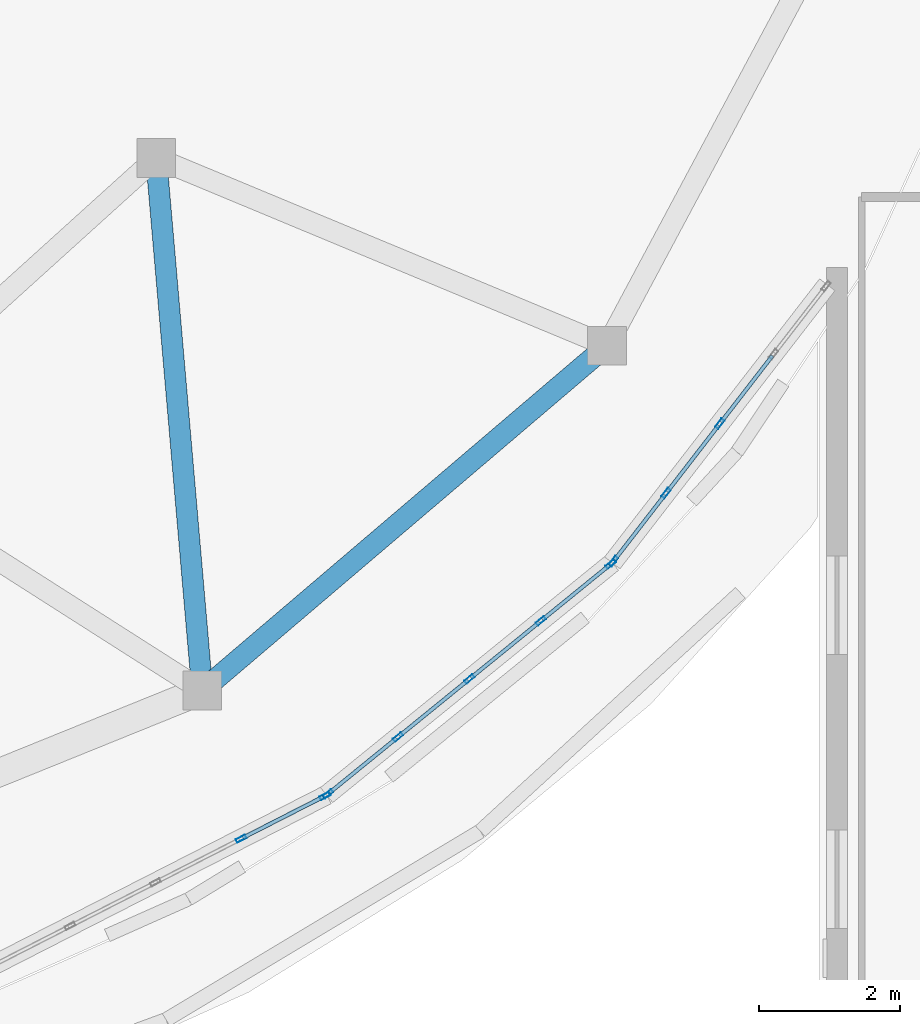
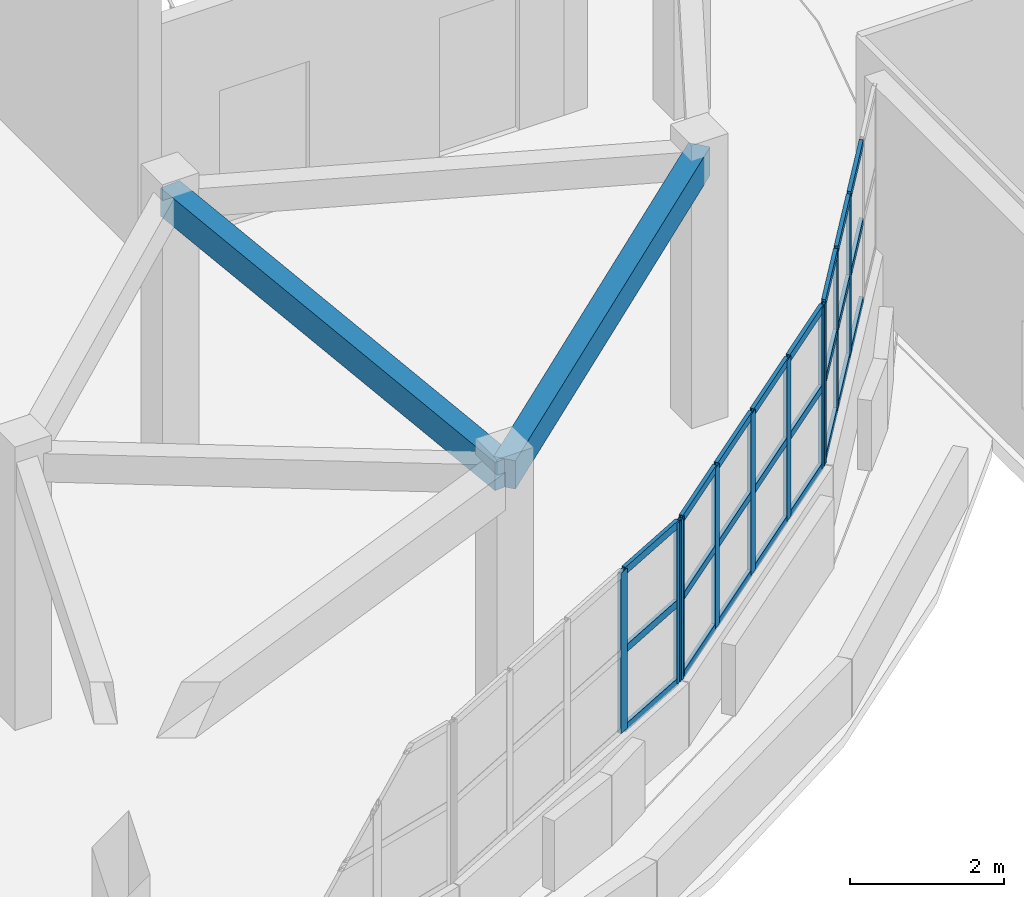
# One storey, part 9 of 46: 34 members, 2 beams, 3 elements without a shape of their own.
"""IFC4 building model written with IfcOpenShell, lengths in metres."""

from ifc_helpers import new_model, si_unit, direction, frame, origin, origin_2d, place, context, subcontext, project, spatial, rectangle, hollow_rectangle, extrude, material, layer, layer_set, material_profile, profile_set, type_object, element, aggregate, save


model = new_model("IFC4")

# Units and contexts
model_context = context("Model", 3, precision=1e-05, world=origin(), true_north=direction((0.0, 1.0)))
body_context = subcontext(model_context, "Body", "Model", "MODEL_VIEW")
ifc_project = project(units=[si_unit("LENGTHUNIT", "METRE"), si_unit("AREAUNIT", "SQUARE_METRE"), si_unit("VOLUMEUNIT", "CUBIC_METRE"), si_unit("PLANEANGLEUNIT", "RADIAN"), si_unit("MASSUNIT", "GRAM", prefix="KILO")], contexts=[model_context])

# Site, building, storey
site_placement = place(None, origin())
site = spatial("IfcSite", under=ifc_project, at=site_placement, CompositionType="ELEMENT")
building_placement = place(site_placement, origin())
building = spatial("IfcBuilding", under=site, at=building_placement, Name="Pelvatis Terrace Science Centre", CompositionType="ELEMENT")
storey_placement = place(building_placement, frame((0.0, 0.0, 19.800048828125)))
storey = spatial("IfcBuildingStorey", under=building, at=storey_placement, Name="L04", CompositionType="ELEMENT", Elevation=19.800048828125)

# Beams
ifc_material_1 = material(Name="Concrete C35/45", Category="concrete")
ifc_material_profile_1 = material_profile(ifc_material_1, rectangle(XDim=0.300048828125, YDim=0.449951171875, at=origin_2d()), Name="RC-BM 300x450")
ifc_profile_set_1 = profile_set([ifc_material_profile_1], Name="Concrete C35/45")
beam_type = type_object("IfcBeamType", Name="BM-RC-300x450", PredefinedType="BEAM", material=ifc_profile_set_1)
beam_1_placement = place(storey_placement, frame((123.82421875, 69.786376953125, 4.02490234375), z_axis=(0.761283967921, 0.648418630351, 0.0), x_axis=(-0.648418630351, 0.761283967921, 0.0)))
element("IfcBeam", 1, at=beam_1_placement, inside=storey, type_object=beam_type, Name="Beam BM-L04-3099", PredefinedType="BEAM", context=body_context, shape_type="SweptSolid", body=[
    extrude(rectangle(XDim=0.300048828125, YDim=0.449951171875, at=origin_2d()), origin(), (0.0, 0.0, 1.0), 7.56005859375),
])
beam_2_placement = place(storey_placement, frame((123.82421875, 69.786376953125, 4.02490234375), z_axis=(-0.086284318335, 0.99627055382, 0.0), x_axis=(-0.99627055382, -0.086284318335, 0.0)))
element("IfcBeam", 2, at=beam_2_placement, inside=storey, type_object=beam_type, Name="Beam BM-L04-3101", PredefinedType="BEAM", context=body_context, shape_type="SweptSolid", body=[
    extrude(rectangle(XDim=0.300048828125, YDim=0.449951171875, at=origin_2d()), origin(), (0.0, 0.0, 1.0), 7.59716796875),
])

# Curtain wall, members
ifc_material_2 = material(Name="Bronze-anodised aluminium and laminated glass", Category="aluminium")
ifc_layer = layer(ifc_material_2, 0.14990234375)
ifc_layer_set = layer_set([ifc_layer], Name="Bronze-anodised aluminium and laminated glass")
curtain_wall_type = type_object("IfcCurtainWallType", Name="CW-PASSAGE-C", PredefinedType="NOTDEFINED", material=ifc_layer_set)
curtain_wall_1_placement = place(storey_placement, origin())
curtain_wall_1 = element("IfcCurtainWall", 3, at=curtain_wall_1_placement, inside=storey, type_object=curtain_wall_type, Name="Ribbon curtain wall CW-234 (L04)", PredefinedType="NOTDEFINED")
ifc_material_3 = material(Name="Bronze-anodised aluminium 6063-T6", Category="aluminium")
ifc_material_profile_2 = material_profile(ifc_material_3, hollow_rectangle(XDim=0.054931640625, YDim=0.14990234375, WallThickness=0.00390625, at=origin_2d()), Name="ALU-MUL 55x150")
ifc_profile_set_2 = profile_set([ifc_material_profile_2], Name="Bronze-anodised aluminium 6063-T6")
member_type_1 = type_object("IfcMemberType", Name="CWM-55x150", PredefinedType="MULLION", material=ifc_profile_set_2)
member_1_placement = place(storey_placement, frame((124.376708984375, 67.677734375, 1.02001953125), z_axis=(0.0, 0.0, 1.0), x_axis=(-0.454858737992, 0.890563601587, 0.0)))
member_1 = element("IfcMember", 4, at=member_1_placement, type_object=member_type_1, Name="CW-234 mullion 4", PredefinedType="MULLION", context=body_context, shape_type="SweptSolid", body=[
    extrude(hollow_rectangle(XDim=0.054931640625, YDim=0.14990234375, WallThickness=0.00390625, at=origin_2d()), origin(), (0.0, 0.0, 1.0), 2.550048828125),
])
member_2_placement = place(storey_placement, frame((125.568115234375, 68.286376953125, 1.02001953125), z_axis=(0.0, 0.0, 1.0), x_axis=(-0.454858737992, 0.890563601587, 0.0)))
member_2 = element("IfcMember", 5, at=member_2_placement, type_object=member_type_1, Name="CW-234 mullion 5", PredefinedType="MULLION", context=body_context, shape_type="SweptSolid", body=[
    extrude(hollow_rectangle(XDim=0.054931640625, YDim=0.14990234375, WallThickness=0.00390625, at=origin_2d()), origin(), (0.0, 0.0, 1.0), 2.550048828125),
])

curtain_wall_2_placement = place(storey_placement, origin())
curtain_wall_2 = element("IfcCurtainWall", 6, at=curtain_wall_2_placement, inside=storey, type_object=curtain_wall_type, Name="Ribbon curtain wall CW-235 (L04)", PredefinedType="NOTDEFINED")
member_3_placement = place(storey_placement, frame((125.61376953125, 68.316162109375, 1.02001953125), z_axis=(0.0, 0.0, 1.0), x_axis=(-0.630757324963, 0.775980152456, 0.0)))
member_3 = element("IfcMember", 7, at=member_3_placement, type_object=member_type_1, Name="CW-235 mullion 1", PredefinedType="MULLION", context=body_context, shape_type="SweptSolid", body=[
    extrude(hollow_rectangle(XDim=0.054931640625, YDim=0.14990234375, WallThickness=0.00390625, at=origin_2d()), origin(), (0.0, 0.0, 1.0), 2.550048828125),
])
member_4_placement = place(storey_placement, frame((126.60791015625, 69.124267578125, 1.02001953125), z_axis=(0.0, 0.0, 1.0), x_axis=(-0.630757324963, 0.775980152456, 0.0)))
member_4 = element("IfcMember", 8, at=member_4_placement, type_object=member_type_1, Name="CW-235 mullion 2", PredefinedType="MULLION", context=body_context, shape_type="SweptSolid", body=[
    extrude(hollow_rectangle(XDim=0.054931640625, YDim=0.14990234375, WallThickness=0.00390625, at=origin_2d()), origin(), (0.0, 0.0, 1.0), 2.550048828125),
])
member_5_placement = place(storey_placement, frame((127.623291015625, 69.949462890625, 1.02001953125), z_axis=(0.0, 0.0, 1.0), x_axis=(-0.630757324963, 0.775980152456, 0.0)))
member_5 = element("IfcMember", 9, at=member_5_placement, type_object=member_type_1, Name="CW-235 mullion 3", PredefinedType="MULLION", context=body_context, shape_type="SweptSolid", body=[
    extrude(hollow_rectangle(XDim=0.054931640625, YDim=0.14990234375, WallThickness=0.00390625, at=origin_2d()), origin(), (0.0, 0.0, 1.0), 2.550048828125),
])
member_6_placement = place(storey_placement, frame((128.638671875, 70.77490234375, 1.02001953125), z_axis=(0.0, 0.0, 1.0), x_axis=(-0.630757324963, 0.775980152456, 0.0)))
member_6 = element("IfcMember", 10, at=member_6_placement, type_object=member_type_1, Name="CW-235 mullion 4", PredefinedType="MULLION", context=body_context, shape_type="SweptSolid", body=[
    extrude(hollow_rectangle(XDim=0.054931640625, YDim=0.14990234375, WallThickness=0.00390625, at=origin_2d()), origin(), (0.0, 0.0, 1.0), 2.550048828125),
])
member_7_placement = place(storey_placement, frame((129.632568359375, 71.582763671875, 1.02001953125), z_axis=(0.0, 0.0, 1.0), x_axis=(-0.630757324963, 0.775980152456, 0.0)))
member_7 = element("IfcMember", 11, at=member_7_placement, type_object=member_type_1, Name="CW-235 mullion 5", PredefinedType="MULLION", context=body_context, shape_type="SweptSolid", body=[
    extrude(hollow_rectangle(XDim=0.054931640625, YDim=0.14990234375, WallThickness=0.00390625, at=origin_2d()), origin(), (0.0, 0.0, 1.0), 2.550048828125),
])

curtain_wall_3_placement = place(storey_placement, origin())
curtain_wall_3 = element("IfcCurtainWall", 12, at=curtain_wall_3_placement, inside=storey, type_object=curtain_wall_type, Name="Ribbon curtain wall CW-236 (L04)", PredefinedType="NOTDEFINED")
member_8_placement = place(storey_placement, frame((129.6708984375, 71.6220703125, 1.02001953125), z_axis=(0.0, 0.0, 1.0), x_axis=(-0.791180678019, 0.611582483994, 0.0)))
member_8 = element("IfcMember", 13, at=member_8_placement, type_object=member_type_1, Name="CW-236 mullion 1", PredefinedType="MULLION", context=body_context, shape_type="SweptSolid", body=[
    extrude(hollow_rectangle(XDim=0.054931640625, YDim=0.14990234375, WallThickness=0.00390625, at=origin_2d()), origin(), (0.0, 0.0, 1.0), 2.550048828125),
])
member_9_placement = place(storey_placement, frame((130.41796875, 72.588623046875, 1.02001953125), z_axis=(0.0, 0.0, 1.0), x_axis=(-0.791180678019, 0.611582483994, 0.0)))
member_9 = element("IfcMember", 14, at=member_9_placement, type_object=member_type_1, Name="CW-236 mullion 2", PredefinedType="MULLION", context=body_context, shape_type="SweptSolid", body=[
    extrude(hollow_rectangle(XDim=0.054931640625, YDim=0.14990234375, WallThickness=0.00390625, at=origin_2d()), origin(), (0.0, 0.0, 1.0), 2.550048828125),
])
member_10_placement = place(storey_placement, frame((131.181884765625, 73.576904296875, 1.02001953125), z_axis=(0.0, 0.0, 1.0), x_axis=(-0.791180678019, 0.611582483994, 0.0)))
member_10 = element("IfcMember", 15, at=member_10_placement, type_object=member_type_1, Name="CW-236 mullion 3", PredefinedType="MULLION", context=body_context, shape_type="SweptSolid", body=[
    extrude(hollow_rectangle(XDim=0.054931640625, YDim=0.14990234375, WallThickness=0.00390625, at=origin_2d()), origin(), (0.0, 0.0, 1.0), 2.550048828125),
])

# Member
ifc_material_4 = material(Name="Bronze-anodised aluminium 6063-T6", Category="aluminium")
ifc_material_profile_3 = material_profile(ifc_material_4, hollow_rectangle(XDim=0.054931640625, YDim=0.1201171875, WallThickness=0.00341796875, at=origin_2d()), Name="ALU-TRN 55x120")
ifc_profile_set_3 = profile_set([ifc_material_profile_3], Name="Bronze-anodised aluminium 6063-T6")
member_type_2 = type_object("IfcMemberType", Name="CWT-55x120", PredefinedType="USERDEFINED", material=ifc_profile_set_3)
member_11_placement = place(storey_placement, frame((124.401123046875, 67.6904296875, 1.04736328125), z_axis=(0.890626588092, 0.454735396228, 0.0), x_axis=(-0.454735396228, 0.890626588092, 0.0)))
member_11 = element("IfcMember", 16, at=member_11_placement, type_object=member_type_2, Name="CW-234 transom 4.1", ObjectType="TRANSOM", PredefinedType="USERDEFINED", context=body_context, shape_type="SweptSolid", body=[
    extrude(hollow_rectangle(XDim=0.054931640625, YDim=0.1201171875, WallThickness=0.00341796875, at=origin_2d()), origin(), (0.0, 0.0, 1.0), 1.28271484375),
])

member_12_placement = place(storey_placement, frame((124.401123046875, 67.6904296875, 2.294921875), z_axis=(0.890626588092, 0.454735396228, 0.0), x_axis=(-0.454735396228, 0.890626588092, 0.0)))
member_12 = element("IfcMember", 17, at=member_12_placement, type_object=member_type_2, Name="CW-234 transom 4.2", ObjectType="TRANSOM", PredefinedType="USERDEFINED", context=body_context, shape_type="SweptSolid", body=[
    extrude(hollow_rectangle(XDim=0.054931640625, YDim=0.1201171875, WallThickness=0.00341796875, at=origin_2d()), origin(), (0.0, 0.0, 1.0), 1.28271484375),
])

member_13_placement = place(storey_placement, frame((124.401123046875, 67.6904296875, 3.54248046875), z_axis=(0.890626588092, 0.454735396228, 0.0), x_axis=(-0.454735396228, 0.890626588092, 0.0)))
member_13 = element("IfcMember", 18, at=member_13_placement, type_object=member_type_2, Name="CW-234 transom 4.3", ObjectType="TRANSOM", PredefinedType="USERDEFINED", context=body_context, shape_type="SweptSolid", body=[
    extrude(hollow_rectangle(XDim=0.054931640625, YDim=0.1201171875, WallThickness=0.00341796875, at=origin_2d()), origin(), (0.0, 0.0, 1.0), 1.28271484375),
])

aggregate(curtain_wall_1, [member_1, member_2, member_11, member_12, member_13])

member_14_placement = place(storey_placement, frame((125.63525390625, 68.33349609375, 1.04736328125), z_axis=(0.775967764769, 0.630772564431, 0.0), x_axis=(-0.630772564431, 0.775967764769, 0.0)))
member_14 = element("IfcMember", 19, at=member_14_placement, type_object=member_type_2, Name="CW-235 transom 1.1", ObjectType="TRANSOM", PredefinedType="USERDEFINED", context=body_context, shape_type="SweptSolid", body=[
    extrude(hollow_rectangle(XDim=0.054931640625, YDim=0.1201171875, WallThickness=0.00341796875, at=origin_2d()), origin(), (0.0, 0.0, 1.0), 1.225830078125),
])

member_15_placement = place(storey_placement, frame((125.63525390625, 68.33349609375, 2.294921875), z_axis=(0.775967764769, 0.630772564431, 0.0), x_axis=(-0.630772564431, 0.775967764769, 0.0)))
member_15 = element("IfcMember", 20, at=member_15_placement, type_object=member_type_2, Name="CW-235 transom 1.2", ObjectType="TRANSOM", PredefinedType="USERDEFINED", context=body_context, shape_type="SweptSolid", body=[
    extrude(hollow_rectangle(XDim=0.054931640625, YDim=0.1201171875, WallThickness=0.00341796875, at=origin_2d()), origin(), (0.0, 0.0, 1.0), 1.225830078125),
])

member_16_placement = place(storey_placement, frame((125.63525390625, 68.33349609375, 3.54248046875), z_axis=(0.775967764769, 0.630772564431, 0.0), x_axis=(-0.630772564431, 0.775967764769, 0.0)))
member_16 = element("IfcMember", 21, at=member_16_placement, type_object=member_type_2, Name="CW-235 transom 1.3", ObjectType="TRANSOM", PredefinedType="USERDEFINED", context=body_context, shape_type="SweptSolid", body=[
    extrude(hollow_rectangle(XDim=0.054931640625, YDim=0.1201171875, WallThickness=0.00341796875, at=origin_2d()), origin(), (0.0, 0.0, 1.0), 1.225830078125),
])

member_17_placement = place(storey_placement, frame((126.629150390625, 69.1416015625, 1.04736328125), z_axis=(0.776018661764, 0.630709946484, 0.0), x_axis=(-0.630709946484, 0.776018661764, 0.0)))
member_17 = element("IfcMember", 22, at=member_17_placement, type_object=member_type_2, Name="CW-235 transom 2.1", ObjectType="TRANSOM", PredefinedType="USERDEFINED", context=body_context, shape_type="SweptSolid", body=[
    extrude(hollow_rectangle(XDim=0.054931640625, YDim=0.1201171875, WallThickness=0.00341796875, at=origin_2d()), origin(), (0.0, 0.0, 1.0), 1.25341796875),
])

member_18_placement = place(storey_placement, frame((126.629150390625, 69.1416015625, 2.294921875), z_axis=(0.776018661764, 0.630709946484, 0.0), x_axis=(-0.630709946484, 0.776018661764, 0.0)))
member_18 = element("IfcMember", 23, at=member_18_placement, type_object=member_type_2, Name="CW-235 transom 2.2", ObjectType="TRANSOM", PredefinedType="USERDEFINED", context=body_context, shape_type="SweptSolid", body=[
    extrude(hollow_rectangle(XDim=0.054931640625, YDim=0.1201171875, WallThickness=0.00341796875, at=origin_2d()), origin(), (0.0, 0.0, 1.0), 1.25341796875),
])

member_19_placement = place(storey_placement, frame((126.629150390625, 69.1416015625, 3.54248046875), z_axis=(0.776018661764, 0.630709946484, 0.0), x_axis=(-0.630709946484, 0.776018661764, 0.0)))
member_19 = element("IfcMember", 24, at=member_19_placement, type_object=member_type_2, Name="CW-235 transom 2.3", ObjectType="TRANSOM", PredefinedType="USERDEFINED", context=body_context, shape_type="SweptSolid", body=[
    extrude(hollow_rectangle(XDim=0.054931640625, YDim=0.1201171875, WallThickness=0.00341796875, at=origin_2d()), origin(), (0.0, 0.0, 1.0), 1.25341796875),
])

member_20_placement = place(storey_placement, frame((127.64453125, 69.966796875, 1.04736328125), z_axis=(0.775923329106, 0.630827224642, 0.0), x_axis=(-0.630827224642, 0.775923329106, 0.0)))
member_20 = element("IfcMember", 25, at=member_20_placement, type_object=member_type_2, Name="CW-235 transom 3.1", ObjectType="TRANSOM", PredefinedType="USERDEFINED", context=body_context, shape_type="SweptSolid", body=[
    extrude(hollow_rectangle(XDim=0.054931640625, YDim=0.1201171875, WallThickness=0.00341796875, at=origin_2d()), origin(), (0.0, 0.0, 1.0), 1.253662109375),
])

member_21_placement = place(storey_placement, frame((127.64453125, 69.966796875, 2.294921875), z_axis=(0.775923329106, 0.630827224642, 0.0), x_axis=(-0.630827224642, 0.775923329106, 0.0)))
member_21 = element("IfcMember", 26, at=member_21_placement, type_object=member_type_2, Name="CW-235 transom 3.2", ObjectType="TRANSOM", PredefinedType="USERDEFINED", context=body_context, shape_type="SweptSolid", body=[
    extrude(hollow_rectangle(XDim=0.054931640625, YDim=0.1201171875, WallThickness=0.00341796875, at=origin_2d()), origin(), (0.0, 0.0, 1.0), 1.253662109375),
])

member_22_placement = place(storey_placement, frame((127.64453125, 69.966796875, 3.54248046875), z_axis=(0.775923329106, 0.630827224642, 0.0), x_axis=(-0.630827224642, 0.775923329106, 0.0)))
member_22 = element("IfcMember", 27, at=member_22_placement, type_object=member_type_2, Name="CW-235 transom 3.3", ObjectType="TRANSOM", PredefinedType="USERDEFINED", context=body_context, shape_type="SweptSolid", body=[
    extrude(hollow_rectangle(XDim=0.054931640625, YDim=0.1201171875, WallThickness=0.00341796875, at=origin_2d()), origin(), (0.0, 0.0, 1.0), 1.253662109375),
])

member_23_placement = place(storey_placement, frame((128.659912109375, 70.792236328125, 1.04736328125), z_axis=(0.776046991119, 0.630675088754, 0.0), x_axis=(-0.630675088754, 0.776046991119, 0.0)))
member_23 = element("IfcMember", 28, at=member_23_placement, type_object=member_type_2, Name="CW-235 transom 4.1", ObjectType="TRANSOM", PredefinedType="USERDEFINED", context=body_context, shape_type="SweptSolid", body=[
    extrude(hollow_rectangle(XDim=0.054931640625, YDim=0.1201171875, WallThickness=0.00341796875, at=origin_2d()), origin(), (0.0, 0.0, 1.0), 1.22607421875),
])

member_24_placement = place(storey_placement, frame((128.659912109375, 70.792236328125, 2.294921875), z_axis=(0.776046991119, 0.630675088754, 0.0), x_axis=(-0.630675088754, 0.776046991119, 0.0)))
member_24 = element("IfcMember", 29, at=member_24_placement, type_object=member_type_2, Name="CW-235 transom 4.2", ObjectType="TRANSOM", PredefinedType="USERDEFINED", context=body_context, shape_type="SweptSolid", body=[
    extrude(hollow_rectangle(XDim=0.054931640625, YDim=0.1201171875, WallThickness=0.00341796875, at=origin_2d()), origin(), (0.0, 0.0, 1.0), 1.22607421875),
])

member_25_placement = place(storey_placement, frame((128.659912109375, 70.792236328125, 3.54248046875), z_axis=(0.776046991119, 0.630675088754, 0.0), x_axis=(-0.630675088754, 0.776046991119, 0.0)))
member_25 = element("IfcMember", 30, at=member_25_placement, type_object=member_type_2, Name="CW-235 transom 4.3", ObjectType="TRANSOM", PredefinedType="USERDEFINED", context=body_context, shape_type="SweptSolid", body=[
    extrude(hollow_rectangle(XDim=0.054931640625, YDim=0.1201171875, WallThickness=0.00341796875, at=origin_2d()), origin(), (0.0, 0.0, 1.0), 1.22607421875),
])

aggregate(curtain_wall_2, [member_3, member_4, member_5, member_6, member_7, member_14, member_15, member_16, member_17, member_18, member_19, member_20, member_21, member_22, member_23, member_24, member_25])

member_26_placement = place(storey_placement, frame((129.687744140625, 71.643798828125, 1.04736328125), z_axis=(0.611590457804, 0.791174514202, 0.0), x_axis=(-0.791174514202, 0.611590457804, 0.0)))
member_26 = element("IfcMember", 31, at=member_26_placement, type_object=member_type_2, Name="CW-236 transom 1.1", ObjectType="TRANSOM", PredefinedType="USERDEFINED", context=body_context, shape_type="SweptSolid", body=[
    extrude(hollow_rectangle(XDim=0.054931640625, YDim=0.1201171875, WallThickness=0.00341796875, at=origin_2d()), origin(), (0.0, 0.0, 1.0), 1.16650390625),
])

member_27_placement = place(storey_placement, frame((129.687744140625, 71.643798828125, 2.294921875), z_axis=(0.611590457804, 0.791174514202, 0.0), x_axis=(-0.791174514202, 0.611590457804, 0.0)))
member_27 = element("IfcMember", 32, at=member_27_placement, type_object=member_type_2, Name="CW-236 transom 1.2", ObjectType="TRANSOM", PredefinedType="USERDEFINED", context=body_context, shape_type="SweptSolid", body=[
    extrude(hollow_rectangle(XDim=0.054931640625, YDim=0.1201171875, WallThickness=0.00341796875, at=origin_2d()), origin(), (0.0, 0.0, 1.0), 1.16650390625),
])

member_28_placement = place(storey_placement, frame((129.687744140625, 71.643798828125, 3.54248046875), z_axis=(0.611590457804, 0.791174514202, 0.0), x_axis=(-0.791174514202, 0.611590457804, 0.0)))
member_28 = element("IfcMember", 33, at=member_28_placement, type_object=member_type_2, Name="CW-236 transom 1.3", ObjectType="TRANSOM", PredefinedType="USERDEFINED", context=body_context, shape_type="SweptSolid", body=[
    extrude(hollow_rectangle(XDim=0.054931640625, YDim=0.1201171875, WallThickness=0.00341796875, at=origin_2d()), origin(), (0.0, 0.0, 1.0), 1.16650390625),
])

member_29_placement = place(storey_placement, frame((130.434814453125, 72.6103515625, 1.04736328125), z_axis=(0.611517324634, 0.791231041904, 0.0), x_axis=(-0.791231041904, 0.611517324634, 0.0)))
member_29 = element("IfcMember", 34, at=member_29_placement, type_object=member_type_2, Name="CW-236 transom 2.1", ObjectType="TRANSOM", PredefinedType="USERDEFINED", context=body_context, shape_type="SweptSolid", body=[
    extrude(hollow_rectangle(XDim=0.054931640625, YDim=0.1201171875, WallThickness=0.00341796875, at=origin_2d()), origin(), (0.0, 0.0, 1.0), 1.194091796875),
])

member_30_placement = place(storey_placement, frame((130.434814453125, 72.6103515625, 2.294921875), z_axis=(0.611517324634, 0.791231041904, 0.0), x_axis=(-0.791231041904, 0.611517324634, 0.0)))
member_30 = element("IfcMember", 35, at=member_30_placement, type_object=member_type_2, Name="CW-236 transom 2.2", ObjectType="TRANSOM", PredefinedType="USERDEFINED", context=body_context, shape_type="SweptSolid", body=[
    extrude(hollow_rectangle(XDim=0.054931640625, YDim=0.1201171875, WallThickness=0.00341796875, at=origin_2d()), origin(), (0.0, 0.0, 1.0), 1.194091796875),
])

member_31_placement = place(storey_placement, frame((130.434814453125, 72.6103515625, 3.54248046875), z_axis=(0.611517324634, 0.791231041904, 0.0), x_axis=(-0.791231041904, 0.611517324634, 0.0)))
member_31 = element("IfcMember", 36, at=member_31_placement, type_object=member_type_2, Name="CW-236 transom 2.3", ObjectType="TRANSOM", PredefinedType="USERDEFINED", context=body_context, shape_type="SweptSolid", body=[
    extrude(hollow_rectangle(XDim=0.054931640625, YDim=0.1201171875, WallThickness=0.00341796875, at=origin_2d()), origin(), (0.0, 0.0, 1.0), 1.194091796875),
])

member_32_placement = place(storey_placement, frame((131.19873046875, 73.5986328125, 1.04736328125), z_axis=(0.611645297395, 0.791132119291, 0.0), x_axis=(-0.791132119291, 0.611645297395, 0.0)))
member_32 = element("IfcMember", 37, at=member_32_placement, type_object=member_type_2, Name="CW-236 transom 3.1", ObjectType="TRANSOM", PredefinedType="USERDEFINED", context=body_context, shape_type="SweptSolid", body=[
    extrude(hollow_rectangle(XDim=0.054931640625, YDim=0.1201171875, WallThickness=0.00341796875, at=origin_2d()), origin(), (0.0, 0.0, 1.0), 1.1943359375),
])

member_33_placement = place(storey_placement, frame((131.19873046875, 73.5986328125, 2.294921875), z_axis=(0.611645297395, 0.791132119291, 0.0), x_axis=(-0.791132119291, 0.611645297395, 0.0)))
member_33 = element("IfcMember", 38, at=member_33_placement, type_object=member_type_2, Name="CW-236 transom 3.2", ObjectType="TRANSOM", PredefinedType="USERDEFINED", context=body_context, shape_type="SweptSolid", body=[
    extrude(hollow_rectangle(XDim=0.054931640625, YDim=0.1201171875, WallThickness=0.00341796875, at=origin_2d()), origin(), (0.0, 0.0, 1.0), 1.1943359375),
])

member_34_placement = place(storey_placement, frame((131.19873046875, 73.5986328125, 3.54248046875), z_axis=(0.611645297395, 0.791132119291, 0.0), x_axis=(-0.791132119291, 0.611645297395, 0.0)))
member_34 = element("IfcMember", 39, at=member_34_placement, type_object=member_type_2, Name="CW-236 transom 3.3", ObjectType="TRANSOM", PredefinedType="USERDEFINED", context=body_context, shape_type="SweptSolid", body=[
    extrude(hollow_rectangle(XDim=0.054931640625, YDim=0.1201171875, WallThickness=0.00341796875, at=origin_2d()), origin(), (0.0, 0.0, 1.0), 1.1943359375),
])

aggregate(curtain_wall_3, [member_8, member_9, member_10, member_26, member_27, member_28, member_29, member_30, member_31, member_32, member_33, member_34])

save(model, "model.ifc")
